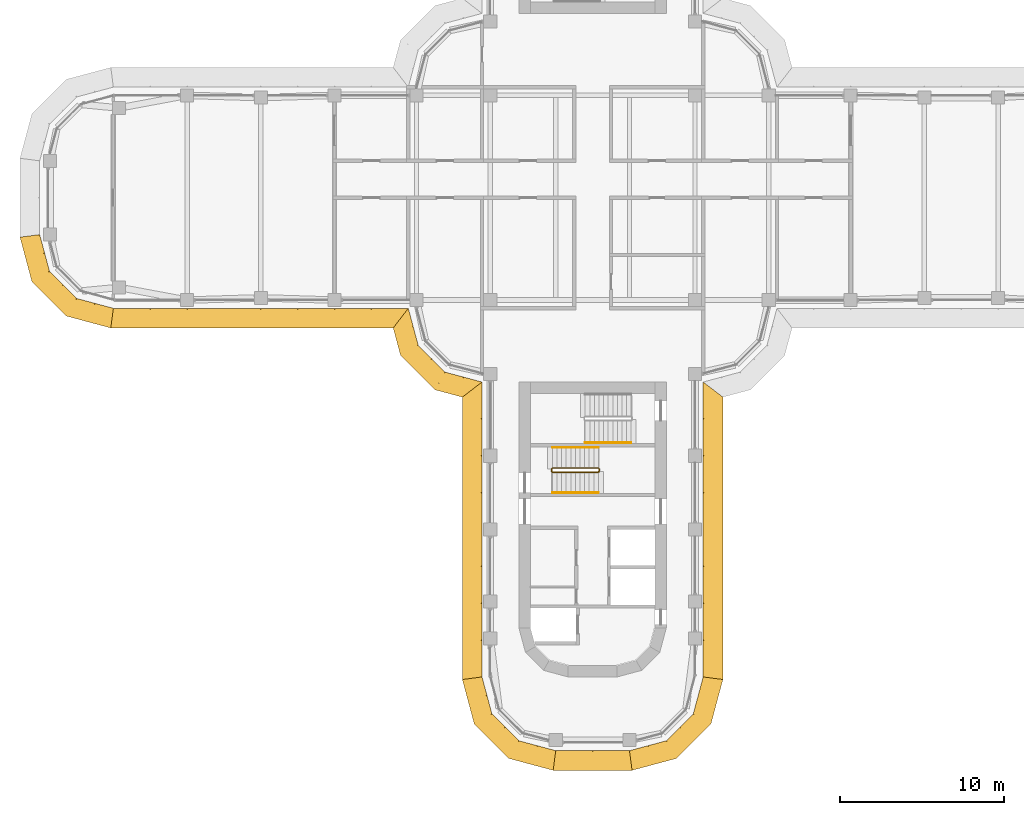
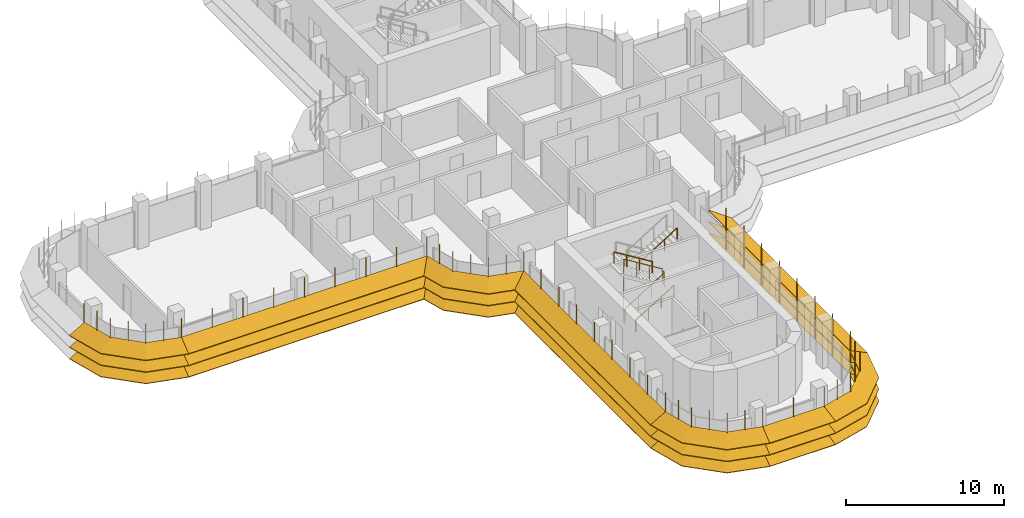
# One storey, part 17 of 20: 8 shading devices, 4 railings.
"""IFC4 building model written with IfcOpenShell, lengths in metres."""

from ifc_helpers import new_model, si_unit, direction, frame, origin, origin_2d, place, context, subcontext, project, spatial, polyline, circle, outline, extrude, faceted_brep, source, transform, mapped, material, type_object, element, save


model = new_model("IFC4")

# Units and contexts
model_context = context("Model", 3, precision=1e-05, world=origin(), true_north=direction((0.0, 1.0)))
body_context = subcontext(model_context, "Body", "Model", "MODEL_VIEW")
ifc_project = project(units=[si_unit("LENGTHUNIT", "METRE"), si_unit("AREAUNIT", "SQUARE_METRE"), si_unit("VOLUMEUNIT", "CUBIC_METRE"), si_unit("PLANEANGLEUNIT", "RADIAN"), si_unit("MASSUNIT", "GRAM", prefix="KILO")], contexts=[model_context])

# Site, building, storey
site_placement = place(None, origin())
site = spatial("IfcSite", under=ifc_project, at=site_placement, CompositionType="ELEMENT")
building_placement = place(site_placement, origin())
building = spatial("IfcBuilding", under=site, at=building_placement, Name="Zarbagh Exchange Tower", CompositionType="ELEMENT")
storey_placement = place(building_placement, frame((0.0, 0.0, 144.800048828125)))
storey = spatial("IfcBuildingStorey", under=building, at=storey_placement, Name="L34", CompositionType="ELEMENT", Elevation=144.800048828125)

# Railings
ifc_material_1 = material(Name="Stainless steel", Category="steel")
railing_type_1 = type_object("IfcRailingType", Name="Stair guard 1100 mm", PredefinedType="GUARDRAIL", material=ifc_material_1)
railing_1_placement = place(storey_placement, frame((0.35009765625, -16.5, 2.07275390625)))
element("IfcRailing", 1, at=railing_1_placement, inside=storey, type_object=railing_type_1, Name="ST3 stair guard 1", PredefinedType="GUARDRAIL", context=body_context, shape_type="SweptSolid", body=[
    extrude(circle(Radius=0.02392578125, at=origin_2d()), frame((0.0, 0.0, 1.076171875), z_axis=(-0.851089632645, 0.0, 0.525020415988), x_axis=(0.0, -1.0, 0.0)), (0.0, 0.0, 1.0), 3.2900390625),
    extrude(circle(Radius=0.02392578125, at=origin_2d()), frame((-2.800048828125, 0.0, 2.80322265625), z_axis=(-0.013168290981, -0.013168290981, -0.999826581076), x_axis=(0.707106781187, -0.707106781187, 0.0)), (0.0, 0.0, 1.0), 3.80078125),
    extrude(circle(Radius=0.02392578125, at=origin_2d()), frame((-2.85009765625, -0.050048828125, -0.99658203125), z_axis=(0.0, -1.0, 0.0), x_axis=(1.0, 0.0, 0.0)), (0.0, 0.0, 1.0), 0.14990234375),
    extrude(circle(Radius=0.02392578125, at=origin_2d()), frame((-2.85009765625, -0.199951171875, -0.99658203125), z_axis=(0.268277960024, -0.268277960024, 0.925231793839), x_axis=(0.707106781187, 0.707106781187, 0.0)), (0.0, 0.0, 1.0), 0.1865234375),
    extrude(circle(Radius=0.02392578125, at=origin_2d()), frame((-2.800048828125, -0.25, -0.82421875), z_axis=(0.851089632645, 0.0, 0.525020415988), x_axis=(0.0, 1.0, 0.0)), (0.0, 0.0, 1.0), 3.2900390625),
    extrude(circle(Radius=0.02392578125, at=origin_2d()), frame((0.0, -0.25, 0.9033203125), z_axis=(0.705375805398, 0.708833529934, 0.0), x_axis=(-0.708833529934, 0.705375805398, 0.0)), (0.0, 0.0, 1.0), 0.070556640625),
    extrude(circle(Radius=0.02392578125, at=origin_2d()), frame((0.0498046875, -0.199951171875, 0.9033203125), z_axis=(0.0, 1.0, 0.0), x_axis=(-1.0, 0.0, 0.0)), (0.0, 0.0, 1.0), 0.14990234375),
    extrude(circle(Radius=0.02099609375, at=origin_2d()), origin(), (0.0, 0.0, 1.0), 1.052001953125),
    extrude(circle(Radius=0.02099609375, at=origin_2d()), frame((-0.933349609375, 0.0, 0.57568359375)), (0.0, 0.0, 1.0), 1.052001953125),
    extrude(circle(Radius=0.02099609375, at=origin_2d()), frame((-1.86669921875, 0.0, 1.151611328125)), (0.0, 0.0, 1.0), 1.052001953125),
    extrude(circle(Radius=0.02099609375, at=origin_2d()), frame((-2.800048828125, 0.0, 1.727294921875)), (0.0, 0.0, 1.0), 1.052001953125),
    extrude(circle(Radius=0.02099609375, at=origin_2d()), frame((-2.8125, -0.012451171875, 0.77734375)), (0.0, 0.0, 1.0), 1.052001953125),
    extrude(circle(Radius=0.02099609375, at=origin_2d()), frame((-2.8251953125, -0.02490234375, -0.1728515625)), (0.0, 0.0, 1.0), 1.052001953125),
    extrude(circle(Radius=0.02099609375, at=origin_2d()), frame((-2.837646484375, -0.03759765625, -1.122802734375)), (0.0, 0.0, 1.0), 1.052001953125),
    extrude(circle(Radius=0.02099609375, at=origin_2d()), frame((-2.85009765625, -0.050048828125, -2.07275390625)), (0.0, 0.0, 1.0), 1.052001953125),
    extrude(circle(Radius=0.02099609375, at=origin_2d()), frame((-2.85009765625, -0.199951171875, -2.07275390625)), (0.0, 0.0, 1.0), 1.052001953125),
    extrude(circle(Radius=0.02099609375, at=origin_2d()), frame((-2.800048828125, -0.25, -1.900146484375)), (0.0, 0.0, 1.0), 1.052001953125),
    extrude(circle(Radius=0.02099609375, at=origin_2d()), frame((-1.86669921875, -0.25, -1.324462890625)), (0.0, 0.0, 1.0), 1.052001953125),
    extrude(circle(Radius=0.02099609375, at=origin_2d()), frame((-0.933349609375, -0.25, -0.74853515625)), (0.0, 0.0, 1.0), 1.052001953125),
    extrude(circle(Radius=0.02099609375, at=origin_2d()), frame((0.0, -0.25, -0.1728515625)), (0.0, 0.0, 1.0), 1.052001953125),
    extrude(circle(Radius=0.02099609375, at=origin_2d()), frame((0.0498046875, -0.199951171875, -0.1728515625)), (0.0, 0.0, 1.0), 1.052001953125),
    extrude(circle(Radius=0.02099609375, at=origin_2d()), frame((0.0498046875, -0.050048828125, -0.1728515625)), (0.0, 0.0, 1.0), 1.052001953125),
])
railing_type_2 = type_object("IfcRailingType", Name="Stair handrail 900 mm", PredefinedType="HANDRAIL", material=ifc_material_1)
railing_2_placement = place(storey_placement, frame((-2.449951171875, -18.0, 0.172607421875)))
element("IfcRailing", 2, at=railing_2_placement, inside=storey, type_object=railing_type_2, Name="ST3 stair handrail 1", PredefinedType="HANDRAIL", context=body_context, shape_type="SweptSolid", body=[
    extrude(circle(Radius=0.02392578125, at=origin_2d()), frame((0.0, 0.0, 0.8759765625), z_axis=(0.851089632645, 0.0, 0.525020415988), x_axis=(0.0, 1.0, 0.0)), (0.0, 0.0, 1.0), 3.2900390625),
    extrude(circle(Radius=0.02099609375, at=origin_2d()), origin(), (0.0, 0.0, 1.0), 0.851806640625),
    extrude(circle(Radius=0.02099609375, at=origin_2d()), frame((0.933349609375, 0.0, 0.57568359375)), (0.0, 0.0, 1.0), 0.851806640625),
    extrude(circle(Radius=0.02099609375, at=origin_2d()), frame((1.86669921875, 0.0, 1.151611328125)), (0.0, 0.0, 1.0), 0.851806640625),
    extrude(circle(Radius=0.02099609375, at=origin_2d()), frame((2.800048828125, 0.0, 1.727294921875)), (0.0, 0.0, 1.0), 0.851806640625),
])
railing_3_placement = place(storey_placement, frame((0.35009765625, -15.25, 2.07275390625)))
element("IfcRailing", 3, at=railing_3_placement, inside=storey, type_object=railing_type_2, Name="ST3 stair handrail 2", PredefinedType="HANDRAIL", context=body_context, shape_type="SweptSolid", body=[
    extrude(circle(Radius=0.02392578125, at=origin_2d()), frame((0.0, 0.0, 0.8759765625), z_axis=(-0.851089632645, 0.0, 0.525020415988), x_axis=(0.0, -1.0, 0.0)), (0.0, 0.0, 1.0), 3.2900390625),
    extrude(circle(Radius=0.02099609375, at=origin_2d()), origin(), (0.0, 0.0, 1.0), 0.851806640625),
    extrude(circle(Radius=0.02099609375, at=origin_2d()), frame((-0.933349609375, 0.0, 0.57568359375)), (0.0, 0.0, 1.0), 0.851806640625),
    extrude(circle(Radius=0.02099609375, at=origin_2d()), frame((-1.86669921875, 0.0, 1.151611328125)), (0.0, 0.0, 1.0), 0.851806640625),
    extrude(circle(Radius=0.02099609375, at=origin_2d()), frame((-2.800048828125, 0.0, 1.727294921875)), (0.0, 0.0, 1.0), 0.851806640625),
])
railing_4_placement = place(storey_placement, frame((-0.449951171875, -14.949951171875, 2.07275390625)))
element("IfcRailing", 4, at=railing_4_placement, inside=storey, type_object=railing_type_2, Name="ST4 stair handrail 2", PredefinedType="HANDRAIL", context=body_context, shape_type="SweptSolid", body=[
    extrude(circle(Radius=0.02392578125, at=origin_2d()), frame((0.0, 0.0, 0.8759765625), z_axis=(0.851089632645, 0.0, 0.525020415988), x_axis=(0.0, 1.0, 0.0)), (0.0, 0.0, 1.0), 3.2900390625),
    extrude(circle(Radius=0.02099609375, at=origin_2d()), origin(), (0.0, 0.0, 1.0), 0.851806640625),
    extrude(circle(Radius=0.02099609375, at=origin_2d()), frame((0.933349609375, 0.0, 0.57568359375)), (0.0, 0.0, 1.0), 0.851806640625),
    extrude(circle(Radius=0.02099609375, at=origin_2d()), frame((1.86669921875, 0.0, 1.151611328125)), (0.0, 0.0, 1.0), 0.851806640625),
    extrude(circle(Radius=0.02099609375, at=origin_2d()), frame((2.800048828125, 0.0, 1.727294921875)), (0.0, 0.0, 1.0), 0.851806640625),
])

# Shading devices
ifc_material_2 = material(Name="Anodised aluminium blades and brackets", Category="aluminium")
shading_device_type = type_object("IfcShadingDeviceType", Name="SUNSHADE louvre band, 22.5 degree blades", PredefinedType="JALOUSIE", material=ifc_material_2)
shared_shape_1 = source(origin(), body_context, "Body", "Brep", [
    faceted_brep([(0.0, 0.0, 0.0), (0.0, 0.0, -0.043212890625), (-0.157958984375, -1.199951171875, -0.540283203125), (-0.157958984375, -1.199951171875, -0.4970703125), (2.65087890625, -1.199951171875, -0.4970703125), (2.65087890625, -1.199951171875, -0.540283203125), (2.329345703125, 0.0, -0.043212890625), (2.329345703125, 0.0, 0.0)], [[[0, 1, 2, 3]], [[4, 5, 6, 7]], [[0, 7, 6, 1]], [[1, 6, 5, 2]], [[2, 5, 4, 3]], [[3, 4, 7, 0]]]),
])
shared_shape_2 = source(origin(), body_context, "Body", "Brep", [
    faceted_brep([(0.0, 0.0, 0.0), (0.0, 0.0, -0.043212890625), (-0.321533203125, -1.199951171875, -0.540283203125), (-0.321533203125, -1.199951171875, -0.4970703125), (2.65087890625, -1.199951171875, -0.4970703125), (2.65087890625, -1.199951171875, -0.540283203125), (2.329345703125, 0.0, -0.043212890625), (2.329345703125, 0.0, 0.0)], [[[0, 1, 2, 3]], [[4, 5, 6, 7]], [[0, 7, 6, 1]], [[1, 6, 5, 2]], [[2, 5, 4, 3]], [[3, 4, 7, 0]]]),
])
shared_shape_3 = source(origin(), body_context, "Body", "Brep", [
    faceted_brep([(0.0, 0.0, 0.0), (0.0, 0.0, -0.043212890625), (-0.321533203125, -1.199951171875, -0.540283203125), (-0.321533203125, -1.199951171875, -0.4970703125), (2.4873046875, -1.199951171875, -0.4970703125), (2.4873046875, -1.199951171875, -0.540283203125), (2.329345703125, 0.0, -0.043212890625), (2.329345703125, 0.0, 0.0)], [[[0, 1, 2, 3]], [[4, 5, 6, 7]], [[0, 7, 6, 1]], [[1, 6, 5, 2]], [[2, 5, 4, 3]], [[3, 4, 7, 0]]]),
])
shared_shape_4 = source(origin(), body_context, "Body", "SweptSolid", [
    extrude(outline(polyline([(0.0, -0.012451171875), (0.06005859375, -0.012451171875), (0.06005859375, 0.012451171875), (0.0, 0.012451171875), (0.0, -0.012451171875)])), origin(), (0.0, 0.0, 1.0), 3.353271484375),
])
placement = place(storey_placement, origin())
element("IfcShadingDevice", 5, at=placement, inside=storey, type_object=shading_device_type, Name="SS01 sunshade band", PredefinedType="JALOUSIE", context=body_context, shape_type="MappedRepresentation", body=[
    mapped(shared_shape_1, transform((2.25, -33.75, 2.300048828125), x_axis=(0.965924289636, 0.258824779902, 0.0), y_axis=(-0.258824779902, 0.965924289636, 0.0), z_axis=(0.0, 0.0, 1.0))),
    mapped(shared_shape_1, transform((2.25, -33.75, 1.39990234375), x_axis=(0.965924289636, 0.258824779902, 0.0), y_axis=(-0.258824779902, 0.965924289636, 0.0), z_axis=(0.0, 0.0, 1.0))),
    mapped(shared_shape_1, transform((2.25, -33.75, 0.5), x_axis=(0.965924289636, 0.258824779902, 0.0), y_axis=(-0.258824779902, 0.965924289636, 0.0), z_axis=(0.0, 0.0, 1.0))),
    mapped(shared_shape_2, transform((4.5, -33.147216796875, 2.300048828125), x_axis=(0.707106781187, 0.707106781187, 0.0), y_axis=(-0.707106781187, 0.707106781187, 0.0), z_axis=(0.0, 0.0, 1.0))),
    mapped(shared_shape_2, transform((4.5, -33.147216796875, 1.39990234375), x_axis=(0.707106781187, 0.707106781187, 0.0), y_axis=(-0.707106781187, 0.707106781187, 0.0), z_axis=(0.0, 0.0, 1.0))),
    mapped(shared_shape_2, transform((4.5, -33.147216796875, 0.5), x_axis=(0.707106781187, 0.707106781187, 0.0), y_axis=(-0.707106781187, 0.707106781187, 0.0), z_axis=(0.0, 0.0, 1.0))),
    mapped(shared_shape_3, transform((6.147216796875, -31.5, 2.300048828125), x_axis=(0.258824779902, 0.965924289636, 0.0), y_axis=(-0.965924289636, 0.258824779902, 0.0), z_axis=(0.0, 0.0, 1.0))),
    mapped(shared_shape_3, transform((6.147216796875, -31.5, 1.39990234375), x_axis=(0.258824779902, 0.965924289636, 0.0), y_axis=(-0.965924289636, 0.258824779902, 0.0), z_axis=(0.0, 0.0, 1.0))),
    mapped(shared_shape_3, transform((6.147216796875, -31.5, 0.5), x_axis=(0.258824779902, 0.965924289636, 0.0), y_axis=(-0.965924289636, 0.258824779902, 0.0), z_axis=(0.0, 0.0, 1.0))),
    mapped(shared_shape_4, transform((2.25, -33.75, 0.4267578125), x_axis=(0.130529263012, -0.991444457092, 0.0), y_axis=(0.991444457092, 0.130529263012, 0.0), z_axis=(0.0, 0.0, 1.0))),
    mapped(shared_shape_4, transform((3.375, -33.448486328125, 0.4267578125), x_axis=(0.258825058029, -0.96592421511, 0.0), y_axis=(0.96592421511, 0.258825058029, 0.0), z_axis=(0.0, 0.0, 1.0))),
    mapped(shared_shape_4, transform((4.5, -33.147216796875, 0.4267578125), x_axis=(0.50000275701, -0.866023812018, 0.0), y_axis=(0.866023812018, 0.50000275701, 0.0), z_axis=(0.0, 0.0, 1.0))),
    mapped(shared_shape_4, transform((5.323486328125, -32.323486328125, 0.4267578125), x_axis=(0.707106781187, -0.707106781187, 0.0), y_axis=(0.707106781187, 0.707106781187, 0.0), z_axis=(0.0, 0.0, 1.0))),
    mapped(shared_shape_4, transform((6.147216796875, -31.5, 0.4267578125), x_axis=(0.866023812018, -0.50000275701, 0.0), y_axis=(0.50000275701, 0.866023812018, 0.0), z_axis=(0.0, 0.0, 1.0))),
    mapped(shared_shape_4, transform((6.448486328125, -30.375, 0.4267578125), x_axis=(0.96592421511, -0.258825058029, 0.0), y_axis=(0.258825058029, 0.96592421511, 0.0), z_axis=(0.0, 0.0, 1.0))),
])
element("IfcShadingDevice", 6, at=placement, inside=storey, type_object=shading_device_type, Name="SS19 sunshade band", PredefinedType="JALOUSIE", context=body_context, shape_type="MappedRepresentation", body=[
    mapped(shared_shape_1, transform((-33.75, -2.25, 2.300048828125), x_axis=(0.258824779902, -0.965924289636, 0.0), y_axis=(0.965924289636, 0.258824779902, 0.0), z_axis=(0.0, 0.0, 1.0))),
    mapped(shared_shape_1, transform((-33.75, -2.25, 1.39990234375), x_axis=(0.258824779902, -0.965924289636, 0.0), y_axis=(0.965924289636, 0.258824779902, 0.0), z_axis=(0.0, 0.0, 1.0))),
    mapped(shared_shape_1, transform((-33.75, -2.25, 0.5), x_axis=(0.258824779902, -0.965924289636, 0.0), y_axis=(0.965924289636, 0.258824779902, 0.0), z_axis=(0.0, 0.0, 1.0))),
    mapped(shared_shape_2, transform((-33.147216796875, -4.5, 2.300048828125), x_axis=(0.707106781187, -0.707106781187, 0.0), y_axis=(0.707106781187, 0.707106781187, 0.0), z_axis=(0.0, 0.0, 1.0))),
    mapped(shared_shape_2, transform((-33.147216796875, -4.5, 1.39990234375), x_axis=(0.707106781187, -0.707106781187, 0.0), y_axis=(0.707106781187, 0.707106781187, 0.0), z_axis=(0.0, 0.0, 1.0))),
    mapped(shared_shape_2, transform((-33.147216796875, -4.5, 0.5), x_axis=(0.707106781187, -0.707106781187, 0.0), y_axis=(0.707106781187, 0.707106781187, 0.0), z_axis=(0.0, 0.0, 1.0))),
    mapped(shared_shape_3, transform((-31.5, -6.147216796875, 2.300048828125), x_axis=(0.965924289636, -0.258824779902, 0.0), y_axis=(0.258824779902, 0.965924289636, 0.0), z_axis=(0.0, 0.0, 1.0))),
    mapped(shared_shape_3, transform((-31.5, -6.147216796875, 1.39990234375), x_axis=(0.965924289636, -0.258824779902, 0.0), y_axis=(0.258824779902, 0.965924289636, 0.0), z_axis=(0.0, 0.0, 1.0))),
    mapped(shared_shape_3, transform((-31.5, -6.147216796875, 0.5), x_axis=(0.965924289636, -0.258824779902, 0.0), y_axis=(0.258824779902, 0.965924289636, 0.0), z_axis=(0.0, 0.0, 1.0))),
    mapped(shared_shape_4, transform((-33.75, -2.25, 0.4267578125), x_axis=(-0.991444457092, -0.130529263012, 0.0), y_axis=(0.130529263012, -0.991444457092, 0.0), z_axis=(0.0, 0.0, 1.0))),
    mapped(shared_shape_4, transform((-33.448486328125, -3.375, 0.4267578125), x_axis=(-0.96592421511, -0.258825058029, 0.0), y_axis=(0.258825058029, -0.96592421511, 0.0), z_axis=(0.0, 0.0, 1.0))),
    mapped(shared_shape_4, transform((-33.147216796875, -4.5, 0.4267578125), x_axis=(-0.866023812018, -0.50000275701, 0.0), y_axis=(0.50000275701, -0.866023812018, 0.0), z_axis=(0.0, 0.0, 1.0))),
    mapped(shared_shape_4, transform((-32.323486328125, -5.323486328125, 0.4267578125), x_axis=(-0.707106781187, -0.707106781187, 0.0), y_axis=(0.707106781187, -0.707106781187, 0.0), z_axis=(0.0, 0.0, 1.0))),
    mapped(shared_shape_4, transform((-31.5, -6.147216796875, 0.4267578125), x_axis=(-0.50000275701, -0.866023812018, 0.0), y_axis=(0.866023812018, -0.50000275701, 0.0), z_axis=(0.0, 0.0, 1.0))),
    mapped(shared_shape_4, transform((-30.375, -6.448486328125, 0.4267578125), x_axis=(-0.258825058029, -0.96592421511, 0.0), y_axis=(0.96592421511, -0.258825058029, 0.0), z_axis=(0.0, 0.0, 1.0))),
])
element("IfcShadingDevice", 7, at=placement, inside=storey, type_object=shading_device_type, Name="SS23 sunshade band", PredefinedType="JALOUSIE", context=body_context, shape_type="MappedRepresentation", body=[
    mapped(shared_shape_1, transform((-6.75, -29.25, 2.300048828125), x_axis=(0.258824779902, -0.965924289636, 0.0), y_axis=(0.965924289636, 0.258824779902, 0.0), z_axis=(0.0, 0.0, 1.0))),
    mapped(shared_shape_1, transform((-6.75, -29.25, 1.39990234375), x_axis=(0.258824779902, -0.965924289636, 0.0), y_axis=(0.965924289636, 0.258824779902, 0.0), z_axis=(0.0, 0.0, 1.0))),
    mapped(shared_shape_1, transform((-6.75, -29.25, 0.5), x_axis=(0.258824779902, -0.965924289636, 0.0), y_axis=(0.965924289636, 0.258824779902, 0.0), z_axis=(0.0, 0.0, 1.0))),
    mapped(shared_shape_2, transform((-6.147216796875, -31.5, 2.300048828125), x_axis=(0.707106781187, -0.707106781187, 0.0), y_axis=(0.707106781187, 0.707106781187, 0.0), z_axis=(0.0, 0.0, 1.0))),
    mapped(shared_shape_2, transform((-6.147216796875, -31.5, 1.39990234375), x_axis=(0.707106781187, -0.707106781187, 0.0), y_axis=(0.707106781187, 0.707106781187, 0.0), z_axis=(0.0, 0.0, 1.0))),
    mapped(shared_shape_2, transform((-6.147216796875, -31.5, 0.5), x_axis=(0.707106781187, -0.707106781187, 0.0), y_axis=(0.707106781187, 0.707106781187, 0.0), z_axis=(0.0, 0.0, 1.0))),
    mapped(shared_shape_3, transform((-4.5, -33.147216796875, 2.300048828125), x_axis=(0.965924289636, -0.258824779902, 0.0), y_axis=(0.258824779902, 0.965924289636, 0.0), z_axis=(0.0, 0.0, 1.0))),
    mapped(shared_shape_3, transform((-4.5, -33.147216796875, 1.39990234375), x_axis=(0.965924289636, -0.258824779902, 0.0), y_axis=(0.258824779902, 0.965924289636, 0.0), z_axis=(0.0, 0.0, 1.0))),
    mapped(shared_shape_3, transform((-4.5, -33.147216796875, 0.5), x_axis=(0.965924289636, -0.258824779902, 0.0), y_axis=(0.258824779902, 0.965924289636, 0.0), z_axis=(0.0, 0.0, 1.0))),
    mapped(shared_shape_4, transform((-6.75, -29.25, 0.4267578125), x_axis=(-0.991444457092, -0.130529263012, 0.0), y_axis=(0.130529263012, -0.991444457092, 0.0), z_axis=(0.0, 0.0, 1.0))),
    mapped(shared_shape_4, transform((-6.448486328125, -30.375, 0.4267578125), x_axis=(-0.96592421511, -0.258825058029, 0.0), y_axis=(0.258825058029, -0.96592421511, 0.0), z_axis=(0.0, 0.0, 1.0))),
    mapped(shared_shape_4, transform((-6.147216796875, -31.5, 0.4267578125), x_axis=(-0.866023812018, -0.50000275701, 0.0), y_axis=(0.50000275701, -0.866023812018, 0.0), z_axis=(0.0, 0.0, 1.0))),
    mapped(shared_shape_4, transform((-5.323486328125, -32.323486328125, 0.4267578125), x_axis=(-0.707106781187, -0.707106781187, 0.0), y_axis=(0.707106781187, -0.707106781187, 0.0), z_axis=(0.0, 0.0, 1.0))),
    mapped(shared_shape_4, transform((-4.5, -33.147216796875, 0.4267578125), x_axis=(-0.50000275701, -0.866023812018, 0.0), y_axis=(0.866023812018, -0.50000275701, 0.0), z_axis=(0.0, 0.0, 1.0))),
    mapped(shared_shape_4, transform((-3.375, -33.448486328125, 0.4267578125), x_axis=(-0.258825058029, -0.96592421511, 0.0), y_axis=(0.96592421511, -0.258825058029, 0.0), z_axis=(0.0, 0.0, 1.0))),
])
shared_shape_5 = source(origin(), body_context, "Body", "Brep", [
    faceted_brep([(0.0, 0.0, 0.0), (0.0, 0.0, -0.043212890625), (0.9208984375, -1.199951171875, -0.540283203125), (0.9208984375, -1.199951171875, -0.4970703125), (2.65087890625, -1.199951171875, -0.4970703125), (2.65087890625, -1.199951171875, -0.540283203125), (2.329345703125, 0.0, -0.043212890625), (2.329345703125, 0.0, 0.0)], [[[0, 1, 2, 3]], [[4, 5, 6, 7]], [[0, 7, 6, 1]], [[1, 6, 5, 2]], [[2, 5, 4, 3]], [[3, 4, 7, 0]]]),
])
shared_shape_6 = source(origin(), body_context, "Body", "Brep", [
    faceted_brep([(0.0, 0.0, 0.0), (0.0, 0.0, -0.043212890625), (-0.321533203125, -1.199951171875, -0.540283203125), (-0.321533203125, -1.199951171875, -0.4970703125), (1.40869140625, -1.199951171875, -0.4970703125), (1.40869140625, -1.199951171875, -0.540283203125), (2.329345703125, 0.0, -0.043212890625), (2.329345703125, 0.0, 0.0)], [[[0, 1, 2, 3]], [[4, 5, 6, 7]], [[0, 7, 6, 1]], [[1, 6, 5, 2]], [[2, 5, 4, 3]], [[3, 4, 7, 0]]]),
])
element("IfcShadingDevice", 8, at=placement, inside=storey, type_object=shading_device_type, Name="SS21 sunshade band", PredefinedType="JALOUSIE", context=body_context, shape_type="MappedRepresentation", body=[
    mapped(shared_shape_5, transform((-11.25, -6.75, 2.300048828125), x_axis=(0.258824779902, -0.965924289636, 0.0), y_axis=(0.965924289636, 0.258824779902, 0.0), z_axis=(0.0, 0.0, 1.0))),
    mapped(shared_shape_5, transform((-11.25, -6.75, 1.39990234375), x_axis=(0.258824779902, -0.965924289636, 0.0), y_axis=(0.965924289636, 0.258824779902, 0.0), z_axis=(0.0, 0.0, 1.0))),
    mapped(shared_shape_5, transform((-11.25, -6.75, 0.5), x_axis=(0.258824779902, -0.965924289636, 0.0), y_axis=(0.965924289636, 0.258824779902, 0.0), z_axis=(0.0, 0.0, 1.0))),
    mapped(shared_shape_2, transform((-10.647216796875, -9.0, 2.300048828125), x_axis=(0.707106781187, -0.707106781187, 0.0), y_axis=(0.707106781187, 0.707106781187, 0.0), z_axis=(0.0, 0.0, 1.0))),
    mapped(shared_shape_2, transform((-10.647216796875, -9.0, 1.39990234375), x_axis=(0.707106781187, -0.707106781187, 0.0), y_axis=(0.707106781187, 0.707106781187, 0.0), z_axis=(0.0, 0.0, 1.0))),
    mapped(shared_shape_2, transform((-10.647216796875, -9.0, 0.5), x_axis=(0.707106781187, -0.707106781187, 0.0), y_axis=(0.707106781187, 0.707106781187, 0.0), z_axis=(0.0, 0.0, 1.0))),
    mapped(shared_shape_6, transform((-9.0, -10.647216796875, 2.300048828125), x_axis=(0.965924289636, -0.258824779902, 0.0), y_axis=(0.258824779902, 0.965924289636, 0.0), z_axis=(0.0, 0.0, 1.0))),
    mapped(shared_shape_6, transform((-9.0, -10.647216796875, 1.39990234375), x_axis=(0.965924289636, -0.258824779902, 0.0), y_axis=(0.258824779902, 0.965924289636, 0.0), z_axis=(0.0, 0.0, 1.0))),
    mapped(shared_shape_6, transform((-9.0, -10.647216796875, 0.5), x_axis=(0.965924289636, -0.258824779902, 0.0), y_axis=(0.258824779902, 0.965924289636, 0.0), z_axis=(0.0, 0.0, 1.0))),
    mapped(shared_shape_4, transform((-11.25, -6.75, 0.4267578125), x_axis=(-0.608758892, -0.793355287, 0.0), y_axis=(0.793355287, -0.608758892, 0.0), z_axis=(0.0, 0.0, 1.0))),
    mapped(shared_shape_4, transform((-10.948486328125, -7.875, 0.4267578125), x_axis=(-0.96592421511, -0.258825058029, 0.0), y_axis=(0.258825058029, -0.96592421511, 0.0), z_axis=(0.0, 0.0, 1.0))),
    mapped(shared_shape_4, transform((-10.647216796875, -9.0, 0.4267578125), x_axis=(-0.866023812018, -0.50000275701, 0.0), y_axis=(0.50000275701, -0.866023812018, 0.0), z_axis=(0.0, 0.0, 1.0))),
    mapped(shared_shape_4, transform((-9.823486328125, -9.823486328125, 0.4267578125), x_axis=(-0.707106781187, -0.707106781187, 0.0), y_axis=(0.707106781187, -0.707106781187, 0.0), z_axis=(0.0, 0.0, 1.0))),
    mapped(shared_shape_4, transform((-9.0, -10.647216796875, 0.4267578125), x_axis=(-0.50000275701, -0.866023812018, 0.0), y_axis=(0.866023812018, -0.50000275701, 0.0), z_axis=(0.0, 0.0, 1.0))),
    mapped(shared_shape_4, transform((-7.875, -10.948486328125, 0.4267578125), x_axis=(-0.258825058029, -0.96592421511, 0.0), y_axis=(0.96592421511, -0.258825058029, 0.0), z_axis=(0.0, 0.0, 1.0))),
])
shared_shape_7 = source(origin(), body_context, "Body", "Brep", [
    faceted_brep([(0.0, 0.0, 0.0), (0.0, 0.0, -0.043212890625), (-0.157958984375, -1.199951171875, -0.540283203125), (-0.157958984375, -1.199951171875, -0.4970703125), (17.0791015625, -1.199951171875, -0.4970703125), (17.0791015625, -1.199951171875, -0.540283203125), (18.0, 0.0, -0.043212890625), (18.0, 0.0, 0.0)], [[[0, 1, 2, 3]], [[4, 5, 6, 7]], [[0, 7, 6, 1]], [[1, 6, 5, 2]], [[2, 5, 4, 3]], [[3, 4, 7, 0]]]),
])
element("IfcShadingDevice", 9, at=placement, inside=storey, type_object=shading_device_type, Name="SS02 sunshade band", PredefinedType="JALOUSIE", context=body_context, shape_type="MappedRepresentation", body=[
    mapped(shared_shape_7, transform((6.75, -29.25, 2.300048828125), x_axis=(0.0, 1.0, 0.0), y_axis=(-1.0, 0.0, 0.0), z_axis=(0.0, 0.0, 1.0))),
    mapped(shared_shape_7, transform((6.75, -29.25, 1.39990234375), x_axis=(0.0, 1.0, 0.0), y_axis=(-1.0, 0.0, 0.0), z_axis=(0.0, 0.0, 1.0))),
    mapped(shared_shape_7, transform((6.75, -29.25, 0.5), x_axis=(0.0, 1.0, 0.0), y_axis=(-1.0, 0.0, 0.0), z_axis=(0.0, 0.0, 1.0))),
    mapped(shared_shape_4, transform((6.75, -29.25, 0.4267578125), x_axis=(0.991444457092, -0.130529263012, 0.0), y_axis=(0.130529263012, 0.991444457092, 0.0), z_axis=(0.0, 0.0, 1.0))),
    mapped(shared_shape_4, transform((6.75, -27.0, 0.4267578125), x_axis=(1.0, 0.0, 0.0), y_axis=(0.0, 1.0, 0.0), z_axis=(0.0, 0.0, 1.0))),
    mapped(shared_shape_4, transform((6.75, -24.75, 0.4267578125), x_axis=(1.0, 0.0, 0.0), y_axis=(0.0, 1.0, 0.0), z_axis=(0.0, 0.0, 1.0))),
    mapped(shared_shape_4, transform((6.75, -22.5, 0.4267578125), x_axis=(1.0, 0.0, 0.0), y_axis=(0.0, 1.0, 0.0), z_axis=(0.0, 0.0, 1.0))),
    mapped(shared_shape_4, transform((6.75, -20.25, 0.4267578125), x_axis=(1.0, 0.0, 0.0), y_axis=(0.0, 1.0, 0.0), z_axis=(0.0, 0.0, 1.0))),
    mapped(shared_shape_4, transform((6.75, -18.0, 0.4267578125), x_axis=(1.0, 0.0, 0.0), y_axis=(0.0, 1.0, 0.0), z_axis=(0.0, 0.0, 1.0))),
    mapped(shared_shape_4, transform((6.75, -15.75, 0.4267578125), x_axis=(1.0, 0.0, 0.0), y_axis=(0.0, 1.0, 0.0), z_axis=(0.0, 0.0, 1.0))),
    mapped(shared_shape_4, transform((6.75, -13.5, 0.4267578125), x_axis=(1.0, 0.0, 0.0), y_axis=(0.0, 1.0, 0.0), z_axis=(0.0, 0.0, 1.0))),
])
element("IfcShadingDevice", 10, at=placement, inside=storey, type_object=shading_device_type, Name="SS20 sunshade band", PredefinedType="JALOUSIE", context=body_context, shape_type="MappedRepresentation", body=[
    mapped(shared_shape_7, transform((-29.25, -6.75, 2.300048828125), x_axis=(1.0, 0.0, 0.0), y_axis=(0.0, 1.0, 0.0), z_axis=(0.0, 0.0, 1.0))),
    mapped(shared_shape_7, transform((-29.25, -6.75, 1.39990234375), x_axis=(1.0, 0.0, 0.0), y_axis=(0.0, 1.0, 0.0), z_axis=(0.0, 0.0, 1.0))),
    mapped(shared_shape_7, transform((-29.25, -6.75, 0.5), x_axis=(1.0, 0.0, 0.0), y_axis=(0.0, 1.0, 0.0), z_axis=(0.0, 0.0, 1.0))),
    mapped(shared_shape_4, transform((-29.25, -6.75, 0.4267578125), x_axis=(-0.130529263012, -0.991444457092, 0.0), y_axis=(0.991444457092, -0.130529263012, 0.0), z_axis=(0.0, 0.0, 1.0))),
    mapped(shared_shape_4, transform((-27.0, -6.75, 0.4267578125), x_axis=(0.0, -1.0, 0.0), y_axis=(1.0, 0.0, 0.0), z_axis=(0.0, 0.0, 1.0))),
    mapped(shared_shape_4, transform((-24.75, -6.75, 0.4267578125), x_axis=(0.0, -1.0, 0.0), y_axis=(1.0, 0.0, 0.0), z_axis=(0.0, 0.0, 1.0))),
    mapped(shared_shape_4, transform((-22.5, -6.75, 0.4267578125), x_axis=(0.0, -1.0, 0.0), y_axis=(1.0, 0.0, 0.0), z_axis=(0.0, 0.0, 1.0))),
    mapped(shared_shape_4, transform((-20.25, -6.75, 0.4267578125), x_axis=(0.0, -1.0, 0.0), y_axis=(1.0, 0.0, 0.0), z_axis=(0.0, 0.0, 1.0))),
    mapped(shared_shape_4, transform((-18.0, -6.75, 0.4267578125), x_axis=(0.0, -1.0, 0.0), y_axis=(1.0, 0.0, 0.0), z_axis=(0.0, 0.0, 1.0))),
    mapped(shared_shape_4, transform((-15.75, -6.75, 0.4267578125), x_axis=(0.0, -1.0, 0.0), y_axis=(1.0, 0.0, 0.0), z_axis=(0.0, 0.0, 1.0))),
    mapped(shared_shape_4, transform((-13.5, -6.75, 0.4267578125), x_axis=(0.0, -1.0, 0.0), y_axis=(1.0, 0.0, 0.0), z_axis=(0.0, 0.0, 1.0))),
])
shared_shape_8 = source(origin(), body_context, "Body", "Brep", [
    faceted_brep([(0.0, 0.0, 0.0), (0.0, 0.0, -0.043212890625), (0.9208984375, -1.199951171875, -0.540283203125), (0.9208984375, -1.199951171875, -0.4970703125), (18.157958984375, -1.199951171875, -0.4970703125), (18.157958984375, -1.199951171875, -0.540283203125), (18.0, 0.0, -0.043212890625), (18.0, 0.0, 0.0)], [[[0, 1, 2, 3]], [[4, 5, 6, 7]], [[0, 7, 6, 1]], [[1, 6, 5, 2]], [[2, 5, 4, 3]], [[3, 4, 7, 0]]]),
])
element("IfcShadingDevice", 11, at=placement, inside=storey, type_object=shading_device_type, Name="SS22 sunshade band", PredefinedType="JALOUSIE", context=body_context, shape_type="MappedRepresentation", body=[
    mapped(shared_shape_8, transform((-6.75, -11.25, 2.300048828125), x_axis=(0.0, -1.0, 0.0), y_axis=(1.0, 0.0, 0.0), z_axis=(0.0, 0.0, 1.0))),
    mapped(shared_shape_8, transform((-6.75, -11.25, 1.39990234375), x_axis=(0.0, -1.0, 0.0), y_axis=(1.0, 0.0, 0.0), z_axis=(0.0, 0.0, 1.0))),
    mapped(shared_shape_8, transform((-6.75, -11.25, 0.5), x_axis=(0.0, -1.0, 0.0), y_axis=(1.0, 0.0, 0.0), z_axis=(0.0, 0.0, 1.0))),
    mapped(shared_shape_4, transform((-6.75, -11.25, 0.4267578125), x_axis=(-0.793355287, -0.608758892, 0.0), y_axis=(0.608758892, -0.793355287, 0.0), z_axis=(0.0, 0.0, 1.0))),
    mapped(shared_shape_4, transform((-6.75, -13.5, 0.4267578125), x_axis=(-1.0, 0.0, 0.0), y_axis=(0.0, -1.0, 0.0), z_axis=(0.0, 0.0, 1.0))),
    mapped(shared_shape_4, transform((-6.75, -15.75, 0.4267578125), x_axis=(-1.0, 0.0, 0.0), y_axis=(0.0, -1.0, 0.0), z_axis=(0.0, 0.0, 1.0))),
    mapped(shared_shape_4, transform((-6.75, -18.0, 0.4267578125), x_axis=(-1.0, 0.0, 0.0), y_axis=(0.0, -1.0, 0.0), z_axis=(0.0, 0.0, 1.0))),
    mapped(shared_shape_4, transform((-6.75, -20.25, 0.4267578125), x_axis=(-1.0, 0.0, 0.0), y_axis=(0.0, -1.0, 0.0), z_axis=(0.0, 0.0, 1.0))),
    mapped(shared_shape_4, transform((-6.75, -22.5, 0.4267578125), x_axis=(-1.0, 0.0, 0.0), y_axis=(0.0, -1.0, 0.0), z_axis=(0.0, 0.0, 1.0))),
    mapped(shared_shape_4, transform((-6.75, -24.75, 0.4267578125), x_axis=(-1.0, 0.0, 0.0), y_axis=(0.0, -1.0, 0.0), z_axis=(0.0, 0.0, 1.0))),
    mapped(shared_shape_4, transform((-6.75, -27.0, 0.4267578125), x_axis=(-1.0, 0.0, 0.0), y_axis=(0.0, -1.0, 0.0), z_axis=(0.0, 0.0, 1.0))),
])
shared_shape_9 = source(origin(), body_context, "Body", "Brep", [
    faceted_brep([(0.0, 0.0, 0.0), (0.0, 0.0, -0.043212890625), (-0.157958984375, -1.199951171875, -0.540283203125), (-0.157958984375, -1.199951171875, -0.4970703125), (4.657958984375, -1.199951171875, -0.4970703125), (4.657958984375, -1.199951171875, -0.540283203125), (4.5, 0.0, -0.043212890625), (4.5, 0.0, 0.0)], [[[0, 1, 2, 3]], [[4, 5, 6, 7]], [[0, 7, 6, 1]], [[1, 6, 5, 2]], [[2, 5, 4, 3]], [[3, 4, 7, 0]]]),
])
element("IfcShadingDevice", 12, at=placement, inside=storey, type_object=shading_device_type, Name="SS24 sunshade band", PredefinedType="JALOUSIE", context=body_context, shape_type="MappedRepresentation", body=[
    mapped(shared_shape_9, transform((-2.25, -33.75, 2.300048828125), x_axis=(1.0, 0.0, 0.0), y_axis=(0.0, 1.0, 0.0), z_axis=(0.0, 0.0, 1.0))),
    mapped(shared_shape_9, transform((-2.25, -33.75, 1.39990234375), x_axis=(1.0, 0.0, 0.0), y_axis=(0.0, 1.0, 0.0), z_axis=(0.0, 0.0, 1.0))),
    mapped(shared_shape_9, transform((-2.25, -33.75, 0.5), x_axis=(1.0, 0.0, 0.0), y_axis=(0.0, 1.0, 0.0), z_axis=(0.0, 0.0, 1.0))),
    mapped(shared_shape_4, transform((-2.25, -33.75, 0.4267578125), x_axis=(-0.130529263012, -0.991444457092, 0.0), y_axis=(0.991444457092, -0.130529263012, 0.0), z_axis=(0.0, 0.0, 1.0))),
    mapped(shared_shape_4, transform((0.0, -33.75, 0.4267578125), x_axis=(0.0, -1.0, 0.0), y_axis=(1.0, 0.0, 0.0), z_axis=(0.0, 0.0, 1.0))),
])

save(model, "model.ifc")
